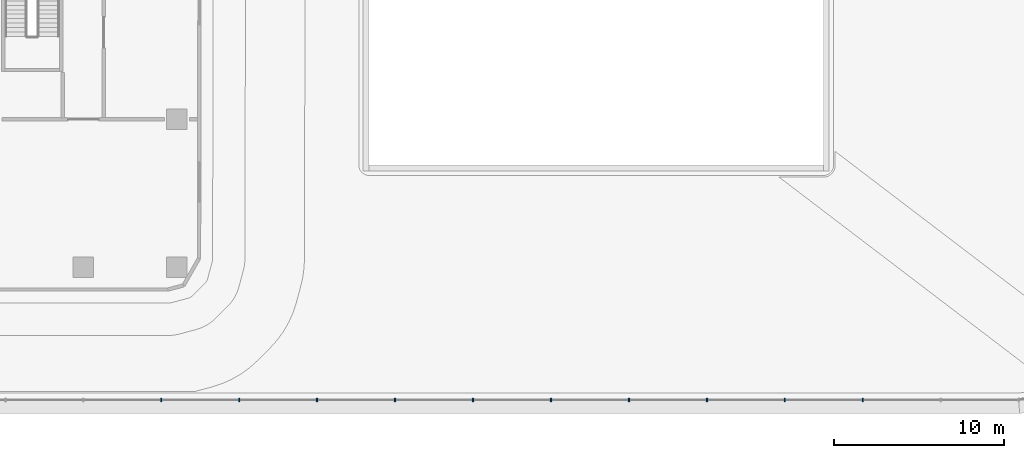
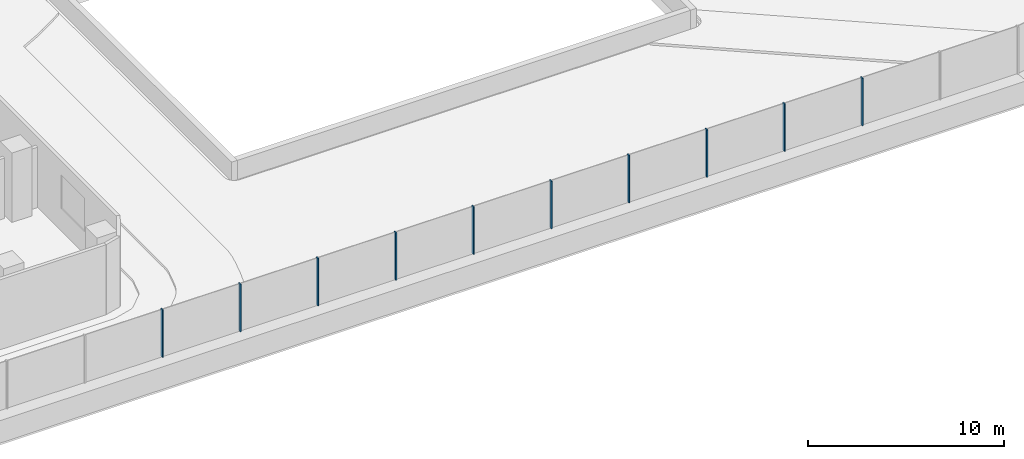
# One storey, part 8 of 37: 10 members, 1 element without a shape of its own.
"""IFC4 building model written with IfcOpenShell, lengths in metres."""

from ifc_helpers import new_model, si_unit, direction, frame, origin, origin_2d, place, context, subcontext, project, spatial, rectangle, extrude, material, layer, layer_set, material_profile, profile_set, type_object, element, aggregate, save


model = new_model("IFC4")

# Units and contexts
model_context = context("Model", 3, precision=1e-05, world=origin(), true_north=direction((0.0, 1.0)))
body_context = subcontext(model_context, "Body", "Model", "MODEL_VIEW")
ifc_project = project(units=[si_unit("LENGTHUNIT", "METRE"), si_unit("AREAUNIT", "SQUARE_METRE"), si_unit("VOLUMEUNIT", "CUBIC_METRE"), si_unit("PLANEANGLEUNIT", "RADIAN"), si_unit("MASSUNIT", "GRAM", prefix="KILO")], contexts=[model_context])

# Site, building, storey
site_placement = place(None, origin())
site = spatial("IfcSite", under=ifc_project, at=site_placement, CompositionType="ELEMENT")
building_placement = place(site_placement, origin())
building = spatial("IfcBuilding", under=site, at=building_placement, Name="Tamarind Cross Interchange Tower", CompositionType="ELEMENT")
storey_placement = place(building_placement, frame((0.0, 0.0, 29.5)))
storey = spatial("IfcBuildingStorey", under=building, at=storey_placement, Name="L05", CompositionType="ELEMENT", Elevation=29.5)

# Curtain wall, members
ifc_material = material(Name="Aluminium 6063-T6", Category="aluminium")
ifc_layer = layer(ifc_material, 0.179931640625)
ifc_layer_set = layer_set([ifc_layer], Name="Aluminium 6063-T6")
curtain_wall_type = type_object("IfcCurtainWallType", Name="Sky lobby curtain wall, fire-resisting glazing", PredefinedType="NOTDEFINED", material=ifc_layer_set)
curtain_wall_placement = place(storey_placement, origin())
curtain_wall = element("IfcCurtainWall", 1, at=curtain_wall_placement, inside=storey, type_object=curtain_wall_type, Name="CWS-L05-06", PredefinedType="NOTDEFINED")
ifc_material_profile = material_profile(ifc_material, rectangle(XDim=0.080078125, YDim=0.179931640625, at=origin_2d()), Name="Mullion CW4")
ifc_profile_set = profile_set([ifc_material_profile], Name="Aluminium 6063-T6")
member_type = type_object("IfcMemberType", Name="Mullion CW4", PredefinedType="MULLION", material=ifc_profile_set)
member_1_placement = place(storey_placement, frame((4.58203125, -55.800048828125, 1.39990234375), z_axis=(0.0, 0.0, 1.0), x_axis=(1.0, 0.0, 0.0)))
member_1 = element("IfcMember", 2, at=member_1_placement, type_object=member_type, Name="CWM-L05-06-13", PredefinedType="MULLION", context=body_context, shape_type="SweptSolid", body=[
    extrude(rectangle(XDim=0.080078125, YDim=0.179931640625, at=origin_2d()), origin(), (0.0, 0.0, 1.0), 2.960205078125),
])
member_2_placement = place(storey_placement, frame((9.1640625, -55.800048828125, 1.39990234375), z_axis=(0.0, 0.0, 1.0), x_axis=(1.0, 0.0, 0.0)))
member_2 = element("IfcMember", 3, at=member_2_placement, type_object=member_type, Name="CWM-L05-06-14", PredefinedType="MULLION", context=body_context, shape_type="SweptSolid", body=[
    extrude(rectangle(XDim=0.080078125, YDim=0.179931640625, at=origin_2d()), origin(), (0.0, 0.0, 1.0), 2.960205078125),
])
member_3_placement = place(storey_placement, frame((13.74609375, -55.800048828125, 1.39990234375), z_axis=(0.0, 0.0, 1.0), x_axis=(1.0, 0.0, 0.0)))
member_3 = element("IfcMember", 4, at=member_3_placement, type_object=member_type, Name="CWM-L05-06-15", PredefinedType="MULLION", context=body_context, shape_type="SweptSolid", body=[
    extrude(rectangle(XDim=0.080078125, YDim=0.179931640625, at=origin_2d()), origin(), (0.0, 0.0, 1.0), 2.960205078125),
])
member_4_placement = place(storey_placement, frame((18.328125, -55.800048828125, 1.39990234375), z_axis=(0.0, 0.0, 1.0), x_axis=(1.0, 0.0, 0.0)))
member_4 = element("IfcMember", 5, at=member_4_placement, type_object=member_type, Name="CWM-L05-06-16", PredefinedType="MULLION", context=body_context, shape_type="SweptSolid", body=[
    extrude(rectangle(XDim=0.080078125, YDim=0.179931640625, at=origin_2d()), origin(), (0.0, 0.0, 1.0), 2.960205078125),
])
member_5_placement = place(storey_placement, frame((22.91015625, -55.800048828125, 1.39990234375), z_axis=(0.0, 0.0, 1.0), x_axis=(1.0, 0.0, 0.0)))
member_5 = element("IfcMember", 6, at=member_5_placement, type_object=member_type, Name="CWM-L05-06-17", PredefinedType="MULLION", context=body_context, shape_type="SweptSolid", body=[
    extrude(rectangle(XDim=0.080078125, YDim=0.179931640625, at=origin_2d()), origin(), (0.0, 0.0, 1.0), 2.960205078125),
])
member_6_placement = place(storey_placement, frame((27.4921875, -55.800048828125, 1.39990234375), z_axis=(0.0, 0.0, 1.0), x_axis=(1.0, 0.0, 0.0)))
member_6 = element("IfcMember", 7, at=member_6_placement, type_object=member_type, Name="CWM-L05-06-18", PredefinedType="MULLION", context=body_context, shape_type="SweptSolid", body=[
    extrude(rectangle(XDim=0.080078125, YDim=0.179931640625, at=origin_2d()), origin(), (0.0, 0.0, 1.0), 2.960205078125),
])
member_7_placement = place(storey_placement, frame((32.07421875, -55.800048828125, 1.39990234375), z_axis=(0.0, 0.0, 1.0), x_axis=(1.0, 0.0, 0.0)))
member_7 = element("IfcMember", 8, at=member_7_placement, type_object=member_type, Name="CWM-L05-06-19", PredefinedType="MULLION", context=body_context, shape_type="SweptSolid", body=[
    extrude(rectangle(XDim=0.080078125, YDim=0.179931640625, at=origin_2d()), origin(), (0.0, 0.0, 1.0), 2.960205078125),
])
member_8_placement = place(storey_placement, frame((36.65625, -55.800048828125, 1.39990234375), z_axis=(0.0, 0.0, 1.0), x_axis=(1.0, 0.0, 0.0)))
member_8 = element("IfcMember", 9, at=member_8_placement, type_object=member_type, Name="CWM-L05-06-20", PredefinedType="MULLION", context=body_context, shape_type="SweptSolid", body=[
    extrude(rectangle(XDim=0.080078125, YDim=0.179931640625, at=origin_2d()), origin(), (0.0, 0.0, 1.0), 2.960205078125),
])
member_9_placement = place(storey_placement, frame((41.23828125, -55.800048828125, 1.39990234375), z_axis=(0.0, 0.0, 1.0), x_axis=(1.0, 0.0, 0.0)))
member_9 = element("IfcMember", 10, at=member_9_placement, type_object=member_type, Name="CWM-L05-06-21", PredefinedType="MULLION", context=body_context, shape_type="SweptSolid", body=[
    extrude(rectangle(XDim=0.080078125, YDim=0.179931640625, at=origin_2d()), origin(), (0.0, 0.0, 1.0), 2.960205078125),
])
member_10_placement = place(storey_placement, frame((45.8203125, -55.800048828125, 1.39990234375), z_axis=(0.0, 0.0, 1.0), x_axis=(1.0, 0.0, 0.0)))
member_10 = element("IfcMember", 11, at=member_10_placement, type_object=member_type, Name="CWM-L05-06-22", PredefinedType="MULLION", context=body_context, shape_type="SweptSolid", body=[
    extrude(rectangle(XDim=0.080078125, YDim=0.179931640625, at=origin_2d()), origin(), (0.0, 0.0, 1.0), 2.960205078125),
])
aggregate(curtain_wall, [member_1, member_2, member_3, member_4, member_5, member_6, member_7, member_8, member_9, member_10])

save(model, "model.ifc")
